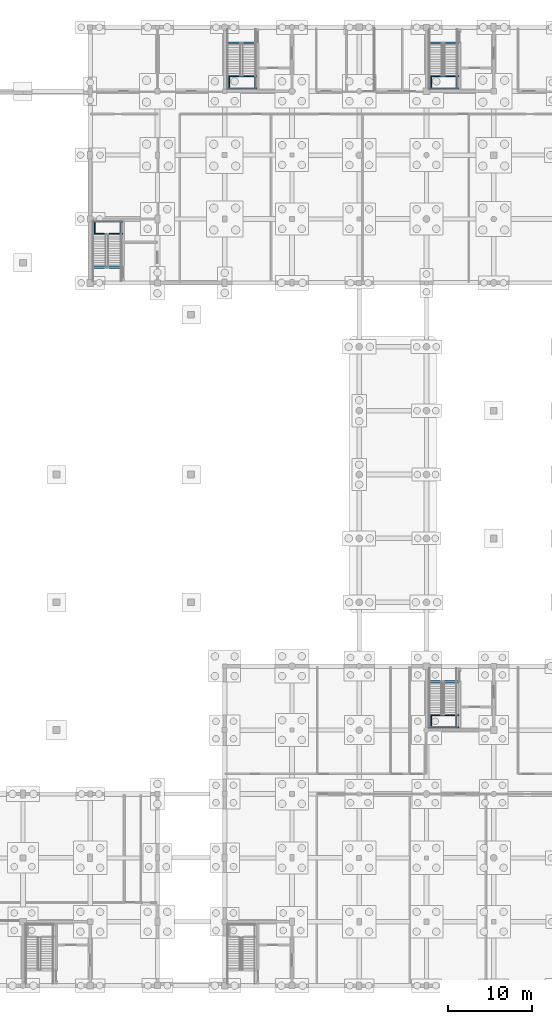
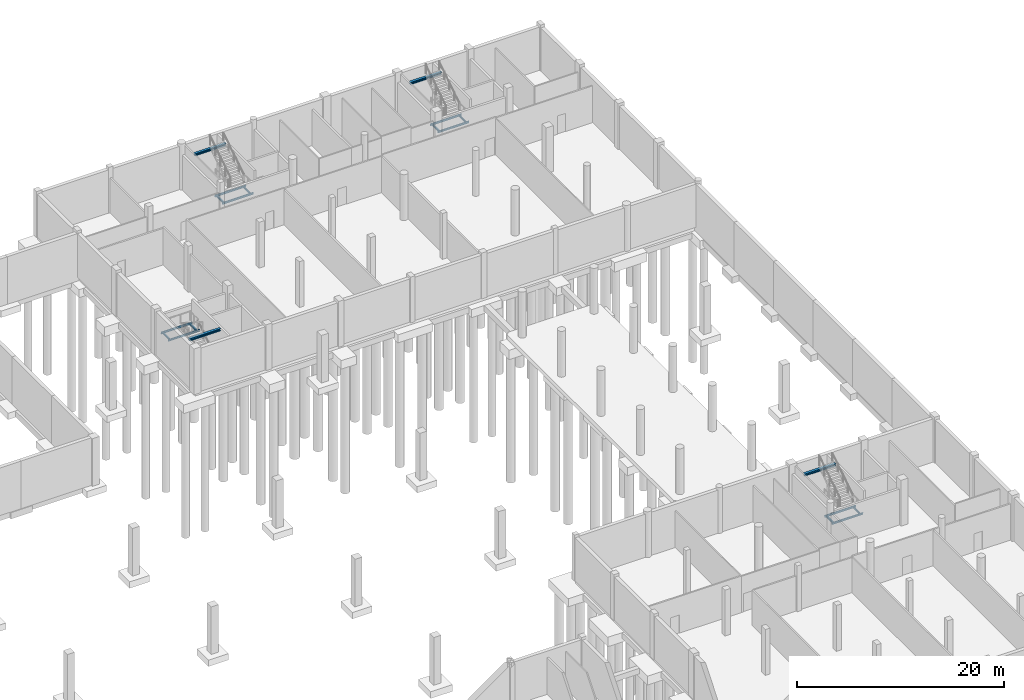
# One storey, part 21 of 44: 20 beams.
"""IFC4 building model written with IfcOpenShell, lengths in metres."""

from ifc_helpers import new_model, si_unit, direction, frame, origin, origin_2d, place, context, subcontext, project, spatial, i_section, extrude, material, material_profile, profile_set, type_object, element, save


model = new_model("IFC4")

# Units and contexts
model_context = context("Model", 3, precision=1e-05, world=origin(), true_north=direction((0.0, 1.0)))
body_context = subcontext(model_context, "Body", "Model", "MODEL_VIEW")
ifc_project = project(units=[si_unit("LENGTHUNIT", "METRE"), si_unit("AREAUNIT", "SQUARE_METRE"), si_unit("VOLUMEUNIT", "CUBIC_METRE"), si_unit("PLANEANGLEUNIT", "RADIAN"), si_unit("MASSUNIT", "GRAM", prefix="KILO")], contexts=[model_context])

# Site, building, storey
site_placement = place(None, origin())
site = spatial("IfcSite", under=ifc_project, at=site_placement, CompositionType="ELEMENT")
building_placement = place(site_placement, origin())
building = spatial("IfcBuilding", under=site, at=building_placement, Name="Khelvaren Railside Concert Hall", CompositionType="ELEMENT")
storey_placement = place(building_placement, frame((0.0, 0.0, -5.39990234375)))
storey = spatial("IfcBuildingStorey", under=building, at=storey_placement, Name="B1", CompositionType="ELEMENT", Elevation=-5.39990234375)

# Beams
ifc_material = material(Name="Steel S355", Category="steel")
ifc_material_profile_1 = material_profile(ifc_material, i_section(OverallWidth=0.110107421875, OverallDepth=0.219970703125, WebThickness=0.005859375, FlangeThickness=0.00927734375, FilletRadius=0.011962890625, at=origin_2d()), Name="IPE 220")
ifc_profile_set_1 = profile_set([ifc_material_profile_1], Name="Steel S355")
beam_type_1 = type_object("IfcBeamType", Name="BM87", PredefinedType="BEAM", material=ifc_profile_set_1)
for number, where, z_axis, x_axis, name in (
    (1, (168.344970703125, 32.175048828125, 2.389892578125), (1.0, 0.0, 0.0), (0.0, 1.0, 0.0), "ST-04 B1 Half-Landing Front Beam"),
    (2, (168.344970703125, 30.760009765625, 2.389892578125), (1.0, 0.0, 0.0), (0.0, 1.0, 0.0), "ST-04 B1 Half-Landing Rear Beam"),
):
    element("IfcBeam", number, at=place(storey_placement, frame(where, z_axis=z_axis, x_axis=x_axis)), inside=storey, type_object=beam_type_1, Name=name, PredefinedType="BEAM", context=body_context, shape_type="SweptSolid", body=[
        extrude(i_section(OverallWidth=0.110107421875, OverallDepth=0.219970703125, WebThickness=0.005859375, FlangeThickness=0.00927734375, FilletRadius=0.011962890625, at=origin_2d()), origin(), (0.0, 0.0, 1.0), 3.4951171875),
    ])
for number, where, z_axis, x_axis, name in (
    (3, (168.550048828125, 30.81494140625, 2.389892578125), (0.0, 1.0, 0.0), (-1.0, 0.0, 0.0), "ST-04 B1 Half-Landing Side Tie W"),
    (4, (171.550048828125, 30.81494140625, 2.389892578125), (0.0, 1.0, 0.0), (-1.0, 0.0, 0.0), "ST-04 B1 Half-Landing Side Tie E"),
):
    element("IfcBeam", number, at=place(storey_placement, frame(where, z_axis=z_axis, x_axis=x_axis)), inside=storey, type_object=beam_type_1, Name=name, PredefinedType="BEAM", context=body_context, shape_type="SweptSolid", body=[
        extrude(i_section(OverallWidth=0.110107421875, OverallDepth=0.219970703125, WebThickness=0.005859375, FlangeThickness=0.00927734375, FilletRadius=0.011962890625, at=origin_2d()), origin(), (0.0, 0.0, 1.0), 1.30517578125),
    ])
for number, where, z_axis, x_axis, name in (
    (5, (144.344970703125, 108.175048828125, 2.389892578125), (1.0, 0.0, 0.0), (0.0, 1.0, 0.0), "ST-09 B1 Half-Landing Front Beam"),
    (6, (144.344970703125, 106.760009765625, 2.389892578125), (1.0, 0.0, 0.0), (0.0, 1.0, 0.0), "ST-09 B1 Half-Landing Rear Beam"),
):
    element("IfcBeam", number, at=place(storey_placement, frame(where, z_axis=z_axis, x_axis=x_axis)), inside=storey, type_object=beam_type_1, Name=name, PredefinedType="BEAM", context=body_context, shape_type="SweptSolid", body=[
        extrude(i_section(OverallWidth=0.110107421875, OverallDepth=0.219970703125, WebThickness=0.005859375, FlangeThickness=0.00927734375, FilletRadius=0.011962890625, at=origin_2d()), origin(), (0.0, 0.0, 1.0), 3.4951171875),
    ])
for number, where, z_axis, x_axis, name in (
    (7, (144.550048828125, 106.81494140625, 2.389892578125), (0.0, 1.0, 0.0), (-1.0, 0.0, 0.0), "ST-09 B1 Half-Landing Side Tie W"),
    (8, (147.550048828125, 106.81494140625, 2.389892578125), (0.0, 1.0, 0.0), (-1.0, 0.0, 0.0), "ST-09 B1 Half-Landing Side Tie E"),
):
    element("IfcBeam", number, at=place(storey_placement, frame(where, z_axis=z_axis, x_axis=x_axis)), inside=storey, type_object=beam_type_1, Name=name, PredefinedType="BEAM", context=body_context, shape_type="SweptSolid", body=[
        extrude(i_section(OverallWidth=0.110107421875, OverallDepth=0.219970703125, WebThickness=0.005859375, FlangeThickness=0.00927734375, FilletRadius=0.011962890625, at=origin_2d()), origin(), (0.0, 0.0, 1.0), 1.30517578125),
    ])
for number, where, z_axis, x_axis, name in (
    (9, (168.344970703125, 108.175048828125, 2.389892578125), (1.0, 0.0, 0.0), (0.0, 1.0, 0.0), "ST-10 B1 Half-Landing Front Beam"),
    (10, (168.344970703125, 106.760009765625, 2.389892578125), (1.0, 0.0, 0.0), (0.0, 1.0, 0.0), "ST-10 B1 Half-Landing Rear Beam"),
):
    element("IfcBeam", number, at=place(storey_placement, frame(where, z_axis=z_axis, x_axis=x_axis)), inside=storey, type_object=beam_type_1, Name=name, PredefinedType="BEAM", context=body_context, shape_type="SweptSolid", body=[
        extrude(i_section(OverallWidth=0.110107421875, OverallDepth=0.219970703125, WebThickness=0.005859375, FlangeThickness=0.00927734375, FilletRadius=0.011962890625, at=origin_2d()), origin(), (0.0, 0.0, 1.0), 3.4951171875),
    ])
for number, where, z_axis, x_axis, name in (
    (11, (168.550048828125, 106.81494140625, 2.389892578125), (0.0, 1.0, 0.0), (-1.0, 0.0, 0.0), "ST-10 B1 Half-Landing Side Tie W"),
    (12, (171.550048828125, 106.81494140625, 2.389892578125), (0.0, 1.0, 0.0), (-1.0, 0.0, 0.0), "ST-10 B1 Half-Landing Side Tie E"),
):
    element("IfcBeam", number, at=place(storey_placement, frame(where, z_axis=z_axis, x_axis=x_axis)), inside=storey, type_object=beam_type_1, Name=name, PredefinedType="BEAM", context=body_context, shape_type="SweptSolid", body=[
        extrude(i_section(OverallWidth=0.110107421875, OverallDepth=0.219970703125, WebThickness=0.005859375, FlangeThickness=0.00927734375, FilletRadius=0.011962890625, at=origin_2d()), origin(), (0.0, 0.0, 1.0), 1.30517578125),
    ])
for number, where, z_axis, x_axis, name in (
    (13, (128.344970703125, 89.425048828125, 2.389892578125), (1.0, 0.0, 0.0), (0.0, 1.0, 0.0), "ST-12 B1 Half-Landing Front Beam"),
    (14, (128.344970703125, 90.840087890625, 2.389892578125), (1.0, 0.0, 0.0), (0.0, 1.0, 0.0), "ST-12 B1 Half-Landing Rear Beam"),
):
    element("IfcBeam", number, at=place(storey_placement, frame(where, z_axis=z_axis, x_axis=x_axis)), inside=storey, type_object=beam_type_1, Name=name, PredefinedType="BEAM", context=body_context, shape_type="SweptSolid", body=[
        extrude(i_section(OverallWidth=0.110107421875, OverallDepth=0.219970703125, WebThickness=0.005859375, FlangeThickness=0.00927734375, FilletRadius=0.011962890625, at=origin_2d()), origin(), (0.0, 0.0, 1.0), 3.4951171875),
    ])
for number, where, z_axis, x_axis, name in (
    (15, (128.550048828125, 89.47998046875, 2.389892578125), (0.0, 1.0, 0.0), (-1.0, 0.0, 0.0), "ST-12 B1 Half-Landing Side Tie W"),
    (16, (131.550048828125, 89.47998046875, 2.389892578125), (0.0, 1.0, 0.0), (-1.0, 0.0, 0.0), "ST-12 B1 Half-Landing Side Tie E"),
):
    element("IfcBeam", number, at=place(storey_placement, frame(where, z_axis=z_axis, x_axis=x_axis)), inside=storey, type_object=beam_type_1, Name=name, PredefinedType="BEAM", context=body_context, shape_type="SweptSolid", body=[
        extrude(i_section(OverallWidth=0.110107421875, OverallDepth=0.219970703125, WebThickness=0.005859375, FlangeThickness=0.00927734375, FilletRadius=0.011962890625, at=origin_2d()), origin(), (0.0, 0.0, 1.0), 1.304931640625),
    ])
ifc_material_profile_2 = material_profile(ifc_material, i_section(OverallWidth=0.280029296875, OverallDepth=0.27001953125, WebThickness=0.008056640625, FlangeThickness=0.012939453125, FilletRadius=0.02392578125, at=origin_2d()), Name="HEA 280")
ifc_profile_set_2 = profile_set([ifc_material_profile_2], Name="Steel S355")
beam_type_2 = type_object("IfcBeamType", Name="BM93", PredefinedType="BEAM", material=ifc_profile_set_2)
for number, where, z_axis, x_axis, name in (
    (17, (168.344970703125, 36.139892578125, 4.906494140625), (1.0, 0.0, 0.0), (0.0, 1.0, 0.0), "ST-04 B1 Stair Top Arrival Trimmer Beam"),
    (18, (144.344970703125, 112.139892578125, 4.906494140625), (1.0, 0.0, 0.0), (0.0, 1.0, 0.0), "ST-09 B1 Stair Top Arrival Trimmer Beam"),
    (19, (168.344970703125, 112.139892578125, 4.906494140625), (1.0, 0.0, 0.0), (0.0, 1.0, 0.0), "ST-10 B1 Stair Top Arrival Trimmer Beam"),
    (20, (128.344970703125, 85.4599609375, 4.906494140625), (1.0, 0.0, 0.0), (0.0, 1.0, 0.0), "ST-12 B1 Stair Top Arrival Trimmer Beam"),
):
    element("IfcBeam", number, at=place(storey_placement, frame(where, z_axis=z_axis, x_axis=x_axis)), inside=storey, type_object=beam_type_2, Name=name, PredefinedType="BEAM", context=body_context, shape_type="SweptSolid", body=[
        extrude(i_section(OverallWidth=0.280029296875, OverallDepth=0.27001953125, WebThickness=0.008056640625, FlangeThickness=0.012939453125, FilletRadius=0.02392578125, at=origin_2d()), origin(), (0.0, 0.0, 1.0), 3.4951171875),
    ])

save(model, "model.ifc")
